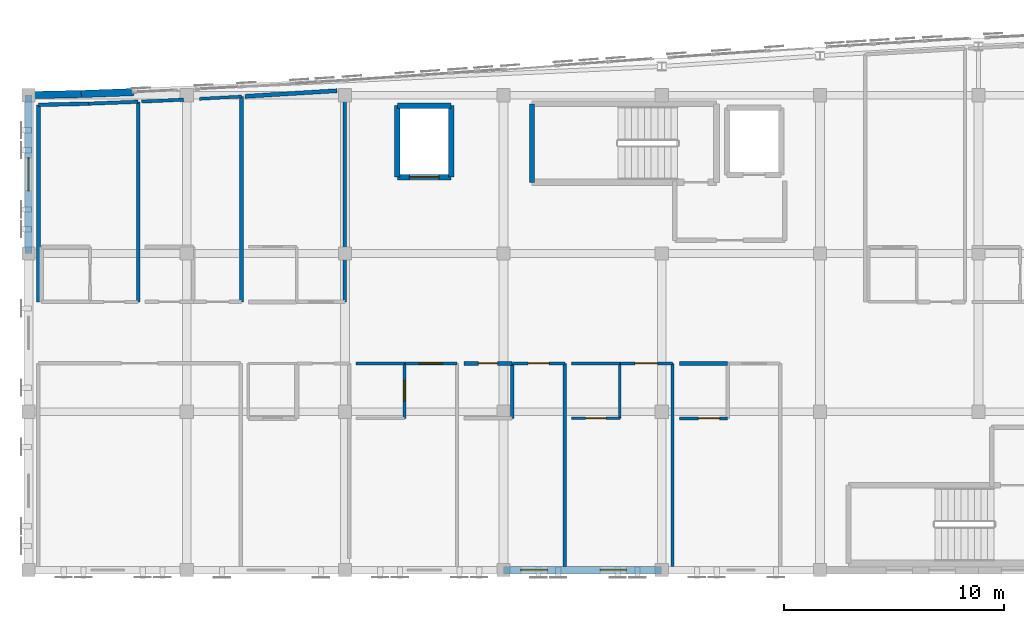
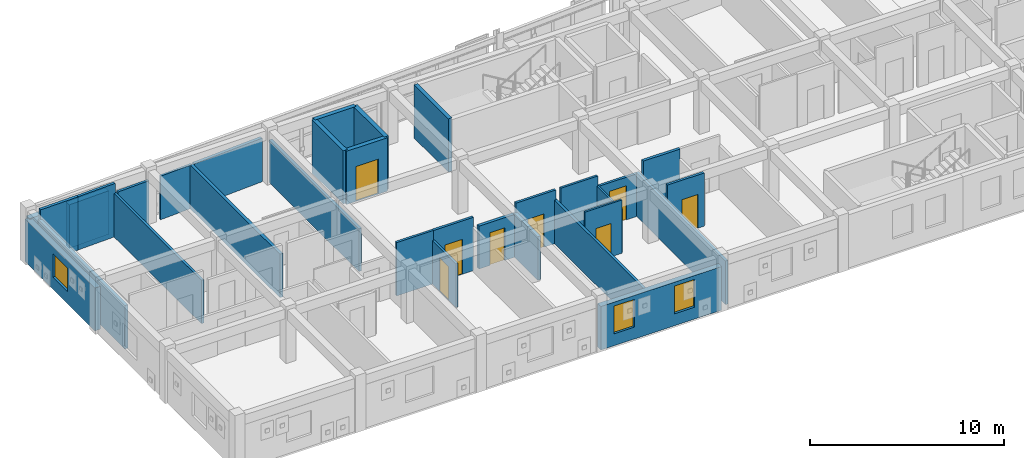
# One storey, part 34 of 45: 32 walls, 8 doors, 3 windows, 11 openings.
"""IFC4 building model written with IfcOpenShell, lengths in metres."""

from ifc_helpers import new_model, si_unit, direction, frame, frame_2d, origin, place, context, subcontext, project, spatial, rectangle, extrude, material, layer, layer_set, type_object, element, fill, save


model = new_model("IFC4")

# Units and contexts
model_context = context("Model", 3, precision=1e-05, world=origin(), true_north=direction((0.0, 1.0)))
body_context = subcontext(model_context, "Body", "Model", "MODEL_VIEW")
ifc_project = project(units=[si_unit("LENGTHUNIT", "METRE"), si_unit("AREAUNIT", "SQUARE_METRE"), si_unit("VOLUMEUNIT", "CUBIC_METRE"), si_unit("PLANEANGLEUNIT", "RADIAN"), si_unit("MASSUNIT", "GRAM", prefix="KILO")], contexts=[model_context])

# Site, building, storey
site_placement = place(None, origin())
site = spatial("IfcSite", under=ifc_project, at=site_placement, CompositionType="ELEMENT")
building_placement = place(site_placement, origin())
building = spatial("IfcBuilding", under=site, at=building_placement, Name="Carrowvane Square Congress Hotel", CompositionType="ELEMENT")
storey_placement = place(building_placement, frame((0.0, 0.0, 33.60009765625)))
storey = spatial("IfcBuildingStorey", under=building, at=storey_placement, Name="L08", CompositionType="ELEMENT", Elevation=33.60009765625)

# Walls
ifc_material_1 = material(Name="Glazed terracotta rainscreen", Category="masonry")
ifc_layer_1 = layer(ifc_material_1, 0.330078125)
ifc_layer_set_1 = layer_set([ifc_layer_1], Name="Glazed terracotta rainscreen")
wall_type_1 = type_object("IfcWallType", Name="WL-EXT-TC330", PredefinedType="STANDARD", material=ifc_layer_set_1)
wall_1_placement = place(storey_placement, frame((33.199951171875, 113.39990234375, 0.0), z_axis=(0.0, 0.0, 1.0), x_axis=(0.999767568547, 0.021559426766, 0.0)))
element("IfcWall", 1, at=wall_1_placement, inside=storey, type_object=wall_type_1, Name="L08 exterior facade wall 535", PredefinedType="STANDARD", context=body_context, shape_type="SweptSolid", body=[
    extrude(rectangle(XDim=2.400634765625, YDim=0.330078125, at=frame_2d((1.2001953125, 0.0))), origin(), (0.0, 0.0, 1.0), 2.744873046875),
])
wall_2_placement = place(storey_placement, frame((35.60009765625, 113.45166015625, 0.0), z_axis=(0.0, 0.0, 1.0), x_axis=(0.99930757318, 0.037207179225, 0.0)))
element("IfcWall", 2, at=wall_2_placement, inside=storey, type_object=wall_type_1, Name="L08 exterior facade wall 536", PredefinedType="STANDARD", context=body_context, shape_type="SweptSolid", body=[
    extrude(rectangle(XDim=2.401611328125, YDim=0.330078125, at=frame_2d((1.20068359375, 0.0))), origin(), (0.0, 0.0, 1.0), 2.744873046875),
])

# Wall, openings, windows
wall_3_placement = place(storey_placement, frame((62.0, 91.800048828125, 0.0), z_axis=(0.0, 0.0, 1.0), x_axis=(-1.0, 0.0, 0.0)))
wall_3 = element("IfcWall", 3, at=wall_3_placement, inside=storey, type_object=wall_type_1, Name="L08 exterior facade wall 553", PredefinedType="STANDARD", context=body_context, shape_type="SweptSolid", body=[
    extrude(rectangle(XDim=7.199951171875, YDim=0.330078125, at=frame_2d((3.60009765625, 0.0))), origin(), (0.0, 0.0, 1.0), 2.744873046875),
])
opening_1_placement = place(wall_3_placement, frame((1.60498046875, 0.0, 0.75)))
opening_1 = element("IfcOpeningElement", 4, at=opening_1_placement, cuts=wall_3, Name="Opening W-01", PredefinedType="OPENING", context=body_context, shape_type="SweptSolid", body=[
    extrude(rectangle(XDim=1.199951171875, YDim=1.75, at=frame_2d((0.60009765625, 0.875))), frame((0.0, 0.175048828125, 0.0), z_axis=(0.0, -1.0, 0.0), x_axis=(1.0, 0.0, 0.0)), (0.0, 0.0, 1.0), 0.35009765625),
])
opening_2_placement = place(wall_3_placement, frame((5.205078125, 0.0, 0.75)))
opening_2 = element("IfcOpeningElement", 5, at=opening_2_placement, cuts=wall_3, Name="Opening W-01", PredefinedType="OPENING", context=body_context, shape_type="SweptSolid", body=[
    extrude(rectangle(XDim=1.199951171875, YDim=1.75, at=frame_2d((0.60009765625, 0.875))), frame((0.0, 0.175048828125, 0.0), z_axis=(0.0, -1.0, 0.0), x_axis=(1.0, 0.0, 0.0)), (0.0, 0.0, 1.0), 0.35009765625),
])
ifc_material_2 = material(Name="Double-glazed low-E glass", Category="glass")
window_type_1 = type_object("IfcWindowType", Name="WIN-01", PartitioningType="SINGLE_PANEL", PredefinedType="WINDOW", material=ifc_material_2)
window_1_placement = place(opening_1_placement, origin())
window_1 = element("IfcWindow", 6, at=window_1_placement, inside=storey, type_object=window_type_1, Name="L08 facade window 401", OverallHeight=1.75, OverallWidth=1.199951171875, PartitioningType="SINGLE_PANEL", PredefinedType="WINDOW", context=body_context, shape_type="SweptSolid", body=[
    extrude(rectangle(XDim=1.199951171875, YDim=1.75, at=frame_2d((0.60009765625, 0.875))), frame((0.0, 0.030029296875, 0.0), z_axis=(0.0, -1.0, 0.0), x_axis=(1.0, 0.0, 0.0)), (0.0, 0.0, 1.0), 0.06005859375),
])
fill(opening_1, window_1)
window_2_placement = place(opening_2_placement, origin())
window_2 = element("IfcWindow", 7, at=window_2_placement, inside=storey, type_object=window_type_1, Name="L08 split-bay facade window WIN-L08-0401-1", OverallHeight=1.75, OverallWidth=1.199951171875, PartitioningType="SINGLE_PANEL", PredefinedType="WINDOW", context=body_context, shape_type="SweptSolid", body=[
    extrude(rectangle(XDim=1.199951171875, YDim=1.75, at=frame_2d((0.60009765625, 0.875))), frame((0.0, 0.030029296875, 0.0), z_axis=(0.0, -1.0, 0.0), x_axis=(1.0, 0.0, 0.0)), (0.0, 0.0, 1.0), 0.06005859375),
])
fill(opening_2, window_2)

# Wall, opening, window
wall_4_placement = place(storey_placement, frame((33.199951171875, 106.199951171875, 0.0), z_axis=(0.0, 0.0, 1.0), x_axis=(0.0, 1.0, 0.0)))
wall_4 = element("IfcWall", 8, at=wall_4_placement, inside=storey, type_object=wall_type_1, Name="L08 exterior facade wall 559", PredefinedType="STANDARD", context=body_context, shape_type="SweptSolid", body=[
    extrude(rectangle(XDim=7.199951171875, YDim=0.330078125, at=frame_2d((3.60009765625, 0.0))), origin(), (0.0, 0.0, 1.0), 2.69482421875),
])
opening_3_placement = place(wall_4_placement, frame((2.85009765625, 0.0, 0.75)))
opening_3 = element("IfcOpeningElement", 9, at=opening_3_placement, cuts=wall_4, Name="Opening W-15", PredefinedType="OPENING", context=body_context, shape_type="SweptSolid", body=[
    extrude(rectangle(XDim=1.5, YDim=1.5, at=frame_2d((0.75, 0.75))), frame((0.0, 0.175048828125, 0.0), z_axis=(0.0, -1.0, 0.0), x_axis=(1.0, 0.0, 0.0)), (0.0, 0.0, 1.0), 0.35009765625),
])
ifc_material_3 = material(Name="Double-glazed low-E glass", Category="glass")
window_type_2 = type_object("IfcWindowType", Name="WIN-15", PartitioningType="SINGLE_PANEL", PredefinedType="WINDOW", material=ifc_material_3)
window_3_placement = place(opening_3_placement, origin())
window_3 = element("IfcWindow", 10, at=window_3_placement, inside=storey, type_object=window_type_2, Name="L08 facade window 407", OverallHeight=1.5, OverallWidth=1.5, PartitioningType="SINGLE_PANEL", PredefinedType="WINDOW", context=body_context, shape_type="SweptSolid", body=[
    extrude(rectangle(XDim=1.5, YDim=1.5, at=frame_2d((0.75, 0.75))), frame((0.0, 0.030029296875, 0.0), z_axis=(0.0, -1.0, 0.0), x_axis=(1.0, 0.0, 0.0)), (0.0, 0.0, 1.0), 0.06005859375),
])
fill(opening_3, window_3)

# Walls
ifc_material_4 = material(Name="Acoustic gypsum board", Category="gypsum")
ifc_layer_2 = layer(ifc_material_4, 0.155029296875)
ifc_layer_set_2 = layer_set([ifc_layer_2], Name="Acoustic gypsum board")
wall_type_2 = type_object("IfcWallType", Name="WL-FIR-155", PredefinedType="PARTITIONING", material=ifc_layer_set_2)
for number, where, z_axis, x_axis, name in (
    (11, (57.590087890625, 101.199951171875, 0.0), (0.0, 0.0, 1.0), (0.0, -1.0, 0.0), "L08 Hotel Guest Bedroom 0803 partition"),
    (12, (62.489990234375, 101.199951171875, 0.0), (0.0, 0.0, 1.0), (0.0, -1.0, 0.0), "L08 Hotel Guest Bedroom 0804 partition"),
):
    element("IfcWall", number, at=place(storey_placement, frame(where, z_axis=z_axis, x_axis=x_axis)), inside=storey, type_object=wall_type_2, Name=name, PredefinedType="PARTITIONING", context=body_context, shape_type="SweptSolid", body=[
        extrude(rectangle(XDim=9.239990234375, YDim=0.155029296875, at=frame_2d((4.6201171875, 0.0))), origin(), (0.0, 0.0, 1.0), 2.744873046875),
    ])
wall_5_placement = place(storey_placement, frame((35.919921875, 113.013671875, 0.0), z_axis=(0.0, 0.0, 1.0), x_axis=(0.999280101676, 0.037937822746, 0.0)))
element("IfcWall", 13, at=wall_5_placement, inside=storey, type_object=wall_type_2, Name="L08 Parkview Guest Bedroom 0808 partition", PredefinedType="PARTITIONING", context=body_context, shape_type="SweptSolid", body=[
    extrude(rectangle(XDim=2.271728515625, YDim=0.155029296875, at=frame_2d((1.1357421875, 0.0))), origin(), (0.0, 0.0, 1.0), 3.35986328125),
])
ifc_material_5 = material(Name="Acoustic gypsum board", Category="gypsum")
ifc_layer_3 = layer(ifc_material_5, 0.169921875)
ifc_layer_set_3 = layer_set([ifc_layer_3], Name="Acoustic gypsum board")
wall_type_3 = type_object("IfcWallType", Name="WL-FIR-170", PredefinedType="PARTITIONING", material=ifc_layer_set_3)
wall_6_placement = place(storey_placement, frame((55.199951171875, 101.199951171875, 0.0), z_axis=(0.0, 0.0, 1.0), x_axis=(0.0, -1.0, 0.0)))
element("IfcWall", 14, at=wall_6_placement, inside=storey, type_object=wall_type_3, Name="L08 En-suite Bathroom 0803 partition", PredefinedType="PARTITIONING", context=body_context, shape_type="SweptSolid", body=[
    extrude(rectangle(XDim=2.5, YDim=0.169921875, at=frame_2d((1.25, 0.0))), origin(), (0.0, 0.0, 1.0), 2.744873046875),
])
wall_7_placement = place(storey_placement, frame((62.800048828125, 101.199951171875, 0.0), z_axis=(0.0, 0.0, 1.0), x_axis=(1.0, 0.0, 0.0)))
element("IfcWall", 15, at=wall_7_placement, inside=storey, type_object=wall_type_3, Name="L08 En-suite Bathroom 0805 partition", PredefinedType="PARTITIONING", context=body_context, shape_type="SweptSolid", body=[
    extrude(rectangle(XDim=2.199951171875, YDim=0.169921875, at=frame_2d((1.10009765625, 0.0))), origin(), (0.0, 0.0, 1.0), 3.35986328125),
])
wall_8_placement = place(storey_placement, frame((33.64990234375, 112.959716796875, 0.0), z_axis=(0.0, 0.0, 1.0), x_axis=(0.999717647588, 0.023761841269, 0.0)))
element("IfcWall", 16, at=wall_8_placement, inside=storey, type_object=wall_type_3, Name="L08 Parkview Guest Bedroom 0808 partition", PredefinedType="PARTITIONING", context=body_context, shape_type="SweptSolid", body=[
    extrude(rectangle(XDim=2.270751953125, YDim=0.169921875, at=frame_2d((1.13525390625, 0.0))), origin(), (0.0, 0.0, 1.0), 3.35986328125),
])
wall_9_placement = place(storey_placement, frame((47.590087890625, 113.2646484375, 0.0), z_axis=(0.0, 0.0, 1.0), x_axis=(0.0, -1.0, 0.0)))
element("IfcWall", 17, at=wall_9_placement, inside=storey, type_object=wall_type_3, Name="L08 Parkview Guest Bedroom 0810 partition", PredefinedType="PARTITIONING", context=body_context, shape_type="SweptSolid", body=[
    extrude(rectangle(XDim=9.2646484375, YDim=0.169921875, at=frame_2d((4.63232421875, 0.0))), origin(), (0.0, 0.0, 1.0), 2.69482421875),
])

# Wall, opening, door
ifc_material_6 = material(Name="Acoustic gypsum board", Category="gypsum")
ifc_layer_4 = layer(ifc_material_6, 0.18505859375)
ifc_layer_set_4 = layer_set([ifc_layer_4], Name="Acoustic gypsum board")
wall_type_4 = type_object("IfcWallType", Name="WL-FIR-185", PredefinedType="PARTITIONING", material=ifc_layer_set_4)
wall_10_placement = place(storey_placement, frame((53.0, 101.199951171875, 0.0), z_axis=(0.0, 0.0, 1.0), x_axis=(1.0, 0.0, 0.0)))
wall_10 = element("IfcWall", 18, at=wall_10_placement, inside=storey, type_object=wall_type_4, Name="L08 En-suite Bathroom 0803 partition", PredefinedType="PARTITIONING", context=body_context, shape_type="SweptSolid", body=[
    extrude(rectangle(XDim=2.199951171875, YDim=0.18505859375, at=frame_2d((1.10009765625, 0.0))), origin(), (0.0, 0.0, 1.0), 2.69482421875),
])
opening_4_placement = place(wall_10_placement, frame((0.659912109375, 0.0, 0.0)))
opening_4 = element("IfcOpeningElement", 19, at=opening_4_placement, cuts=wall_10, Name="Opening ID-01", PredefinedType="OPENING", context=body_context, shape_type="SweptSolid", body=[
    extrude(rectangle(XDim=0.8798828125, YDim=2.06005859375, at=frame_2d((0.43994140625, 1.030029296875))), frame((0.0, 0.1025390625, 0.0), z_axis=(0.0, -1.0, 0.0), x_axis=(1.0, 0.0, 0.0)), (0.0, 0.0, 1.0), 0.205078125),
])
ifc_material_7 = material(Name="European oak timber", Category="wood")
door_type_1 = type_object("IfcDoorType", Name="DR-INT-0880x2060", OperationType="NOTDEFINED", PredefinedType="DOOR", material=ifc_material_7)
door_1_placement = place(opening_4_placement, origin())
door_1 = element("IfcDoor", 20, at=door_1_placement, inside=storey, type_object=door_type_1, Name="L08 En-suite Bathroom 0803 door", OperationType="SINGLE_SWING_LEFT", OverallHeight=2.06005859375, OverallWidth=0.8798828125, PredefinedType="DOOR", context=body_context, shape_type="SweptSolid", body=[
    extrude(rectangle(XDim=0.8798828125, YDim=2.06005859375, at=frame_2d((0.43994140625, 1.030029296875))), frame((0.0, 0.02490234375, 0.0), z_axis=(0.0, -1.0, 0.0), x_axis=(1.0, 0.0, 0.0)), (0.0, 0.0, 1.0), 0.050048828125),
])
fill(opening_4, door_1)

# Walls
wall_11_placement = place(storey_placement, frame((33.64990234375, 104.0, 0.0), z_axis=(0.0, 0.0, 1.0), x_axis=(0.0, 1.0, 0.0)))
element("IfcWall", 21, at=wall_11_placement, inside=storey, type_object=wall_type_4, Name="L08 Parkview Guest Bedroom 0808 partition", PredefinedType="PARTITIONING", context=body_context, shape_type="SweptSolid", body=[
    extrude(rectangle(XDim=8.959716796875, YDim=0.18505859375, at=frame_2d((4.47998046875, 0.0))), origin(), (0.0, 0.0, 1.0), 2.744873046875),
])
wall_12_placement = place(storey_placement, frame((42.889892578125, 113.336669921875, 0.0), z_axis=(0.0, 0.0, 1.0), x_axis=(0.0, -1.0, 0.0)))
element("IfcWall", 22, at=wall_12_placement, inside=storey, type_object=wall_type_4, Name="L08 Parkview Guest Bedroom 0809 partition", PredefinedType="PARTITIONING", context=body_context, shape_type="SweptSolid", body=[
    extrude(rectangle(XDim=9.336669921875, YDim=0.18505859375, at=frame_2d((4.66845703125, 0.0))), origin(), (0.0, 0.0, 1.0), 2.744873046875),
])
wall_13_placement = place(storey_placement, frame((43.050048828125, 113.34619140625, 0.0), z_axis=(0.0, 0.0, 1.0), x_axis=(0.998125369777, 0.061202501651, 0.0)))
element("IfcWall", 23, at=wall_13_placement, inside=storey, type_object=wall_type_4, Name="L08 Parkview Guest Bedroom 0810 partition", PredefinedType="PARTITIONING", context=body_context, shape_type="SweptSolid", body=[
    extrude(rectangle(XDim=4.1884765625, YDim=0.18505859375, at=frame_2d((2.09423828125, 0.0))), origin(), (0.0, 0.0, 1.0), 2.744873046875),
])

# Wall, opening, door
ifc_material_8 = material(Name="Acoustic gypsum board", Category="gypsum")
ifc_layer_5 = layer(ifc_material_8, 0.10791015625)
ifc_layer_set_5 = layer_set([ifc_layer_5], Name="Acoustic gypsum board")
wall_type_5 = type_object("IfcWallType", Name="WL-PRT-108", PredefinedType="PARTITIONING", material=ifc_layer_set_5)
wall_14_placement = place(storey_placement, frame((60.10009765625, 98.699951171875, 0.0), z_axis=(0.0, 0.0, 1.0), x_axis=(-1.0, 0.0, 0.0)))
wall_14 = element("IfcWall", 24, at=wall_14_placement, inside=storey, type_object=wall_type_5, Name="L08 En-suite Bathroom 0804 partition", PredefinedType="PARTITIONING", context=body_context, shape_type="SweptSolid", body=[
    extrude(rectangle(XDim=2.2001953125, YDim=0.10791015625, at=frame_2d((1.10009765625, 0.0))), origin(), (0.0, 0.0, 1.0), 3.35986328125),
])
opening_5_placement = place(wall_14_placement, frame((0.639892578125, 0.0, 0.0)))
opening_5 = element("IfcOpeningElement", 25, at=opening_5_placement, cuts=wall_14, Name="Opening ID-03", PredefinedType="OPENING", context=body_context, shape_type="SweptSolid", body=[
    extrude(rectangle(XDim=0.919921875, YDim=2.10009765625, at=frame_2d((0.4599609375, 1.050048828125))), frame((0.0, 0.06396484375, 0.0), z_axis=(0.0, -1.0, 0.0), x_axis=(1.0, 0.0, 0.0)), (0.0, 0.0, 1.0), 0.1279296875),
])
ifc_material_9 = material(Name="European oak timber", Category="wood")
door_type_2 = type_object("IfcDoorType", Name="DR-INT-0920x2100", OperationType="NOTDEFINED", PredefinedType="DOOR", material=ifc_material_9)
door_2_placement = place(opening_5_placement, origin())
door_2 = element("IfcDoor", 26, at=door_2_placement, inside=storey, type_object=door_type_2, Name="L08 En-suite Bathroom 0804 door", OperationType="SINGLE_SWING_LEFT", OverallHeight=2.10009765625, OverallWidth=0.919921875, PredefinedType="DOOR", context=body_context, shape_type="SweptSolid", body=[
    extrude(rectangle(XDim=0.919921875, YDim=2.10009765625, at=frame_2d((0.4599609375, 1.050048828125))), frame((0.0, 0.02490234375, 0.0), z_axis=(0.0, -1.0, 0.0), x_axis=(1.0, 0.0, 0.0)), (0.0, 0.0, 1.0), 0.050048828125),
])
fill(opening_5, door_2)

# Wall
ifc_material_10 = material(Name="Acoustic gypsum board", Category="gypsum")
ifc_layer_6 = layer(ifc_material_10, 0.117919921875)
ifc_layer_set_6 = layer_set([ifc_layer_6], Name="Acoustic gypsum board")
wall_type_6 = type_object("IfcWallType", Name="WL-PRT-118", PredefinedType="PARTITIONING", material=ifc_layer_set_6)
wall_15_placement = place(storey_placement, frame((60.10009765625, 101.199951171875, 0.0), z_axis=(0.0, 0.0, 1.0), x_axis=(0.0, -1.0, 0.0)))
element("IfcWall", 27, at=wall_15_placement, inside=storey, type_object=wall_type_6, Name="L08 En-suite Bathroom 0804 partition", PredefinedType="PARTITIONING", context=body_context, shape_type="SweptSolid", body=[
    extrude(rectangle(XDim=2.5, YDim=0.117919921875, at=frame_2d((1.25, 0.0))), origin(), (0.0, 0.0, 1.0), 2.744873046875),
])

# Wall, opening, door
ifc_material_11 = material(Name="Acoustic gypsum board", Category="gypsum")
ifc_layer_7 = layer(ifc_material_11, 0.1279296875)
ifc_layer_set_7 = layer_set([ifc_layer_7], Name="Acoustic gypsum board")
wall_type_7 = type_object("IfcWallType", Name="WL-PRT-128", PredefinedType="PARTITIONING", material=ifc_layer_set_7)
wall_16_placement = place(storey_placement, frame((50.300048828125, 101.199951171875, 0.0), z_axis=(0.0, 0.0, 1.0), x_axis=(0.0, -1.0, 0.0)))
wall_16 = element("IfcWall", 28, at=wall_16_placement, inside=storey, type_object=wall_type_7, Name="L08 En-suite Bathroom 0802 partition", PredefinedType="PARTITIONING", context=body_context, shape_type="SweptSolid", body=[
    extrude(rectangle(XDim=2.5, YDim=0.1279296875, at=frame_2d((1.25, 0.0))), origin(), (0.0, 0.0, 1.0), 2.744873046875),
])
opening_6_placement = place(wall_16_placement, frame((0.794921875, 0.0, 0.0)))
opening_6 = element("IfcOpeningElement", 29, at=opening_6_placement, cuts=wall_16, Name="Opening ID-17", PredefinedType="OPENING", context=body_context, shape_type="SweptSolid", body=[
    extrude(rectangle(XDim=0.909912109375, YDim=2.110107421875, at=frame_2d((0.455078125, 1.05517578125))), frame((0.0, 0.073974609375, 0.0), z_axis=(0.0, -1.0, 0.0), x_axis=(1.0, 0.0, 0.0)), (0.0, 0.0, 1.0), 0.14794921875),
])
ifc_material_12 = material(Name="European oak timber", Category="wood")
door_type_3 = type_object("IfcDoorType", Name="DR-INT-0910x2110", OperationType="NOTDEFINED", PredefinedType="DOOR", material=ifc_material_12)
door_3_placement = place(opening_6_placement, origin())
door_3 = element("IfcDoor", 30, at=door_3_placement, inside=storey, type_object=door_type_3, Name="L08 En-suite Bathroom 0802 door", OperationType="SINGLE_SWING_LEFT", OverallHeight=2.110107421875, OverallWidth=0.909912109375, PredefinedType="DOOR", context=body_context, shape_type="SweptSolid", body=[
    extrude(rectangle(XDim=0.909912109375, YDim=2.110107421875, at=frame_2d((0.455078125, 1.05517578125))), frame((0.0, 0.02490234375, 0.0), z_axis=(0.0, -1.0, 0.0), x_axis=(1.0, 0.0, 0.0)), (0.0, 0.0, 1.0), 0.050048828125),
])
fill(opening_6, door_3)

# Walls
wall_17_placement = place(storey_placement, frame((57.89990234375, 101.199951171875, 0.0), z_axis=(0.0, 0.0, 1.0), x_axis=(1.0, 0.0, 0.0)))
element("IfcWall", 31, at=wall_17_placement, inside=storey, type_object=wall_type_7, Name="L08 En-suite Bathroom 0804 partition", PredefinedType="PARTITIONING", context=body_context, shape_type="SweptSolid", body=[
    extrude(rectangle(XDim=2.2001953125, YDim=0.1279296875, at=frame_2d((1.10009765625, 0.0))), origin(), (0.0, 0.0, 1.0), 3.35986328125),
])
ifc_material_13 = material(Name="Acoustic gypsum board", Category="gypsum")
ifc_layer_8 = layer(ifc_material_13, 0.137939453125)
ifc_layer_set_8 = layer_set([ifc_layer_8], Name="Acoustic gypsum board")
wall_type_8 = type_object("IfcWallType", Name="WL-PRT-138", PredefinedType="PARTITIONING", material=ifc_layer_set_8)
wall_18_placement = place(storey_placement, frame((48.10009765625, 101.199951171875, 0.0), z_axis=(0.0, 0.0, 1.0), x_axis=(1.0, 0.0, 0.0)))
element("IfcWall", 32, at=wall_18_placement, inside=storey, type_object=wall_type_8, Name="L08 En-suite Bathroom 0802 partition", PredefinedType="PARTITIONING", context=body_context, shape_type="SweptSolid", body=[
    extrude(rectangle(XDim=2.199951171875, YDim=0.137939453125, at=frame_2d((1.10009765625, 0.0))), origin(), (0.0, 0.0, 1.0), 3.35986328125),
])
wall_19_placement = place(storey_placement, frame((40.9794921875, 113.23388671875, 0.0), z_axis=(0.0, 0.0, 1.0), x_axis=(0.998555811423, 0.053724216819, 0.0)))
element("IfcWall", 33, at=wall_19_placement, inside=storey, type_object=wall_type_8, Name="L08 Parkview Guest Bedroom 0809 partition", PredefinedType="PARTITIONING", context=body_context, shape_type="SweptSolid", body=[
    extrude(rectangle(XDim=1.9130859375, YDim=0.137939453125, at=frame_2d((0.95654296875, 0.0))), origin(), (0.0, 0.0, 1.0), 2.744873046875),
])

# Wall, opening, door
ifc_material_14 = material(Name="Acoustic gypsum board", Category="gypsum")
ifc_layer_9 = layer(ifc_material_14, 0.14794921875)
ifc_layer_set_9 = layer_set([ifc_layer_9], Name="Acoustic gypsum board")
wall_type_9 = type_object("IfcWallType", Name="WL-PRT-148", PredefinedType="PARTITIONING", material=ifc_layer_set_9)
wall_20_placement = place(storey_placement, frame((50.31005859375, 101.199951171875, 0.0), z_axis=(0.0, 0.0, 1.0), x_axis=(1.0, 0.0, 0.0)))
wall_20 = element("IfcWall", 34, at=wall_20_placement, inside=storey, type_object=wall_type_9, Name="L08 Hotel Guest Bedroom 0802 partition", PredefinedType="PARTITIONING", context=body_context, shape_type="SweptSolid", body=[
    extrude(rectangle(XDim=2.3798828125, YDim=0.14794921875, at=frame_2d((1.18994140625, 0.0))), origin(), (0.0, 0.0, 1.0), 3.35986328125),
])
opening_7_placement = place(wall_20_placement, frame((0.659912109375, 0.0, 0.0)))
opening_7 = element("IfcOpeningElement", 35, at=opening_7_placement, cuts=wall_20, Name="Opening FD-09", PredefinedType="OPENING", context=body_context, shape_type="SweptSolid", body=[
    extrude(rectangle(XDim=1.06005859375, YDim=2.199951171875, at=frame_2d((0.530029296875, 1.10009765625))), frame((0.0, 0.083984375, 0.0), z_axis=(0.0, -1.0, 0.0), x_axis=(1.0, 0.0, 0.0)), (0.0, 0.0, 1.0), 0.16796875),
])
ifc_material_15 = material(Name="European oak timber", Category="wood")
door_type_4 = type_object("IfcDoorType", Name="DR-FD30-1060x2200", OperationType="NOTDEFINED", PredefinedType="DOOR", material=ifc_material_15)
door_4_placement = place(opening_7_placement, origin())
door_4 = element("IfcDoor", 36, at=door_4_placement, inside=storey, type_object=door_type_4, Name="L08 Hotel Guest Bedroom 0802 entrance door", OperationType="SINGLE_SWING_RIGHT", OverallHeight=2.199951171875, OverallWidth=1.06005859375, PredefinedType="DOOR", context=body_context, shape_type="SweptSolid", body=[
    extrude(rectangle(XDim=1.06005859375, YDim=2.199951171875, at=frame_2d((0.530029296875, 1.10009765625))), frame((0.0, 0.02490234375, 0.0), z_axis=(0.0, -1.0, 0.0), x_axis=(1.0, 0.0, 0.0)), (0.0, 0.0, 1.0), 0.050048828125),
])
fill(opening_7, door_4)

wall_21_placement = place(storey_placement, frame((55.2099609375, 101.199951171875, 0.0), z_axis=(0.0, 0.0, 1.0), x_axis=(1.0, 0.0, 0.0)))
wall_21 = element("IfcWall", 37, at=wall_21_placement, inside=storey, type_object=wall_type_9, Name="L08 Hotel Guest Bedroom 0803 partition", PredefinedType="PARTITIONING", context=body_context, shape_type="SweptSolid", body=[
    extrude(rectangle(XDim=2.380126953125, YDim=0.14794921875, at=frame_2d((1.18994140625, 0.0))), origin(), (0.0, 0.0, 1.0), 3.35986328125),
])
opening_8_placement = place(wall_21_placement, frame((0.715087890625, 0.0, 0.0)))
opening_8 = element("IfcOpeningElement", 38, at=opening_8_placement, cuts=wall_21, Name="Opening FD-06", PredefinedType="OPENING", context=body_context, shape_type="SweptSolid", body=[
    extrude(rectangle(XDim=0.949951171875, YDim=2.10009765625, at=frame_2d((0.47509765625, 1.050048828125))), frame((0.0, 0.083984375, 0.0), z_axis=(0.0, -1.0, 0.0), x_axis=(1.0, 0.0, 0.0)), (0.0, 0.0, 1.0), 0.16796875),
])
ifc_material_16 = material(Name="European oak timber", Category="wood")
door_type_5 = type_object("IfcDoorType", Name="DR-FD30-0950x2100", OperationType="NOTDEFINED", PredefinedType="DOOR", material=ifc_material_16)
door_5_placement = place(opening_8_placement, origin())
door_5 = element("IfcDoor", 39, at=door_5_placement, inside=storey, type_object=door_type_5, Name="L08 Hotel Guest Bedroom 0803 entrance door", OperationType="SINGLE_SWING_RIGHT", OverallHeight=2.10009765625, OverallWidth=0.949951171875, PredefinedType="DOOR", context=body_context, shape_type="SweptSolid", body=[
    extrude(rectangle(XDim=0.949951171875, YDim=2.10009765625, at=frame_2d((0.47509765625, 1.050048828125))), frame((0.0, 0.02490234375, 0.0), z_axis=(0.0, -1.0, 0.0), x_axis=(1.0, 0.0, 0.0)), (0.0, 0.0, 1.0), 0.050048828125),
])
fill(opening_8, door_5)

wall_22_placement = place(storey_placement, frame((60.110107421875, 101.199951171875, 0.0), z_axis=(0.0, 0.0, 1.0), x_axis=(1.0, 0.0, 0.0)))
wall_22 = element("IfcWall", 40, at=wall_22_placement, inside=storey, type_object=wall_type_9, Name="L08 Hotel Guest Bedroom 0804 partition", PredefinedType="PARTITIONING", context=body_context, shape_type="SweptSolid", body=[
    extrude(rectangle(XDim=2.3798828125, YDim=0.14794921875, at=frame_2d((1.18994140625, 0.0))), origin(), (0.0, 0.0, 1.0), 2.69482421875),
])
opening_9_placement = place(wall_22_placement, frame((0.679931640625, 0.0, 0.0)))
opening_9 = element("IfcOpeningElement", 41, at=opening_9_placement, cuts=wall_22, Name="Opening FD-08", PredefinedType="OPENING", context=body_context, shape_type="SweptSolid", body=[
    extrude(rectangle(XDim=1.02001953125, YDim=2.14990234375, at=frame_2d((0.510009765625, 1.074951171875))), frame((0.0, 0.083984375, 0.0), z_axis=(0.0, -1.0, 0.0), x_axis=(1.0, 0.0, 0.0)), (0.0, 0.0, 1.0), 0.16796875),
])
ifc_material_17 = material(Name="European oak timber", Category="wood")
door_type_6 = type_object("IfcDoorType", Name="DR-FD30-1020x2150", OperationType="NOTDEFINED", PredefinedType="DOOR", material=ifc_material_17)
door_6_placement = place(opening_9_placement, origin())
door_6 = element("IfcDoor", 42, at=door_6_placement, inside=storey, type_object=door_type_6, Name="L08 Hotel Guest Bedroom 0804 entrance door", OperationType="SINGLE_SWING_RIGHT", OverallHeight=2.14990234375, OverallWidth=1.02001953125, PredefinedType="DOOR", context=body_context, shape_type="SweptSolid", body=[
    extrude(rectangle(XDim=1.02001953125, YDim=2.14990234375, at=frame_2d((0.510009765625, 1.074951171875))), frame((0.0, 0.02490234375, 0.0), z_axis=(0.0, -1.0, 0.0), x_axis=(1.0, 0.0, 0.0)), (0.0, 0.0, 1.0), 0.050048828125),
])
fill(opening_9, door_6)

wall_23_placement = place(storey_placement, frame((65.0, 98.699951171875, 0.0), z_axis=(0.0, 0.0, 1.0), x_axis=(-1.0, 0.0, 0.0)))
wall_23 = element("IfcWall", 43, at=wall_23_placement, inside=storey, type_object=wall_type_9, Name="L08 En-suite Bathroom 0805 partition", PredefinedType="PARTITIONING", context=body_context, shape_type="SweptSolid", body=[
    extrude(rectangle(XDim=2.199951171875, YDim=0.14794921875, at=frame_2d((1.10009765625, 0.0))), origin(), (0.0, 0.0, 1.0), 3.35986328125),
])
opening_10_placement = place(wall_23_placement, frame((0.3701171875, 0.0, 0.0)))
opening_10 = element("IfcOpeningElement", 44, at=opening_10_placement, cuts=wall_23, Name="Opening ID-05", PredefinedType="OPENING", context=body_context, shape_type="SweptSolid", body=[
    extrude(rectangle(XDim=0.9599609375, YDim=2.139892578125, at=frame_2d((0.47998046875, 1.06982421875))), frame((0.0, 0.083984375, 0.0), z_axis=(0.0, -1.0, 0.0), x_axis=(1.0, 0.0, 0.0)), (0.0, 0.0, 1.0), 0.16796875),
])
ifc_material_18 = material(Name="European oak timber", Category="wood")
door_type_7 = type_object("IfcDoorType", Name="DR-INT-0960x2140", OperationType="NOTDEFINED", PredefinedType="DOOR", material=ifc_material_18)
door_7_placement = place(opening_10_placement, origin())
door_7 = element("IfcDoor", 45, at=door_7_placement, inside=storey, type_object=door_type_7, Name="L08 En-suite Bathroom 0805 door", OperationType="SINGLE_SWING_LEFT", OverallHeight=2.139892578125, OverallWidth=0.9599609375, PredefinedType="DOOR", context=body_context, shape_type="SweptSolid", body=[
    extrude(rectangle(XDim=0.9599609375, YDim=2.139892578125, at=frame_2d((0.47998046875, 1.06982421875))), frame((0.0, 0.02490234375, 0.0), z_axis=(0.0, -1.0, 0.0), x_axis=(1.0, 0.0, 0.0)), (0.0, 0.0, 1.0), 0.050048828125),
])
fill(opening_10, door_7)

# Walls
wall_24_placement = place(storey_placement, frame((38.18994140625, 113.099853515625, 0.0), z_axis=(0.0, 0.0, 1.0), x_axis=(0.0, -1.0, 0.0)))
element("IfcWall", 46, at=wall_24_placement, inside=storey, type_object=wall_type_9, Name="L08 Parkview Guest Bedroom 0808 partition", PredefinedType="PARTITIONING", context=body_context, shape_type="SweptSolid", body=[
    extrude(rectangle(XDim=9.099853515625, YDim=0.14794921875, at=frame_2d((4.5498046875, 0.0))), origin(), (0.0, 0.0, 1.0), 2.744873046875),
])
wall_25_placement = place(storey_placement, frame((38.35009765625, 113.107177734375, 0.0), z_axis=(0.0, 0.0, 1.0), x_axis=(0.998883966437, 0.047231574132, 0.0)))
element("IfcWall", 47, at=wall_25_placement, inside=storey, type_object=wall_type_9, Name="L08 Parkview Guest Bedroom 0809 partition", PredefinedType="PARTITIONING", context=body_context, shape_type="SweptSolid", body=[
    extrude(rectangle(XDim=1.91259765625, YDim=0.14794921875, at=frame_2d((0.956298828125, 0.0))), origin(), (0.0, 0.0, 1.0), 2.744873046875),
])
ifc_material_19 = material(Name="Concrete C40/50", Category="concrete")
ifc_layer_10 = layer(ifc_material_19, 0.22509765625)
ifc_layer_set_10 = layer_set([ifc_layer_10], Name="Concrete C40/50")
wall_type_10 = type_object("IfcWallType", Name="WL-SHR-225", PredefinedType="SHEAR", material=ifc_layer_set_10)
wall_26_placement = place(storey_placement, frame((56.10009765625, 113.0, 0.0), z_axis=(0.0, 0.0, 1.0), x_axis=(0.0, -1.0, 0.0)))
element("IfcWall", 48, at=wall_26_placement, inside=storey, type_object=wall_type_10, Name="L08 ST1 core wall west", PredefinedType="SHEAR", context=body_context, shape_type="SweptSolid", body=[
    extrude(rectangle(XDim=3.56005859375, YDim=0.22509765625, at=frame_2d((1.780029296875, 0.0))), origin(), (0.0, 0.0, 1.0), 3.35986328125),
])

# Wall, opening, door
ifc_material_20 = material(Name="Concrete C40/50", Category="concrete")
ifc_layer_11 = layer(ifc_material_20, 0.25)
ifc_layer_set_11 = layer_set([ifc_layer_11], Name="Concrete C40/50")
wall_type_11 = type_object("IfcWallType", Name="WL-SHR-250", PredefinedType="SHEAR", material=ifc_layer_set_11)
wall_27_placement = place(storey_placement, frame((49.97509765625, 109.675048828125, 0.0), z_axis=(0.0, 0.0, 1.0), x_axis=(1.0, 0.0, 0.0)))
wall_27 = element("IfcWall", 49, at=wall_27_placement, inside=storey, type_object=wall_type_11, Name="L08 SL-1 shaft wall south", PredefinedType="SHEAR", context=body_context, shape_type="SweptSolid", body=[
    extrude(rectangle(XDim=2.449951171875, YDim=0.25, at=frame_2d((1.22509765625, 0.0))), origin(), (0.0, 0.0, 1.0), 3.35986328125),
])
opening_11_placement = place(wall_27_placement, frame((0.550048828125, 0.0, 0.0)))
opening_11 = element("IfcOpeningElement", 50, at=opening_11_placement, cuts=wall_27, Name="Opening LD-SL-1", PredefinedType="OPENING", context=body_context, shape_type="SweptSolid", body=[
    extrude(rectangle(XDim=1.35009765625, YDim=2.199951171875, at=frame_2d((0.675048828125, 1.10009765625))), frame((0.0, 0.135009765625, 0.0), z_axis=(0.0, -1.0, 0.0), x_axis=(1.0, 0.0, 0.0)), (0.0, 0.0, 1.0), 0.27001953125),
])
ifc_material_21 = material(Name="Stainless steel 316", Category="steel")
door_type_8 = type_object("IfcDoorType", Name="DR-LD-1350x2200", OperationType="DOUBLE_DOOR_SLIDING", PredefinedType="DOOR", material=ifc_material_21)
door_8_placement = place(opening_11_placement, origin())
door_8 = element("IfcDoor", 51, at=door_8_placement, inside=storey, type_object=door_type_8, Name="L08 SL-1 sliding lift landing door", OperationType="DOUBLE_DOOR_SLIDING", OverallHeight=2.199951171875, OverallWidth=1.35009765625, PredefinedType="DOOR", context=body_context, shape_type="SweptSolid", body=[
    extrude(rectangle(XDim=1.35009765625, YDim=2.199951171875, at=frame_2d((0.675048828125, 1.10009765625))), frame((0.0, 0.02490234375, 0.0), z_axis=(0.0, -1.0, 0.0), x_axis=(1.0, 0.0, 0.0)), (0.0, 0.0, 1.0), 0.050048828125),
])
fill(opening_11, door_8)

# Walls
wall_28_placement = place(storey_placement, frame((52.425048828125, 109.675048828125, 0.0), z_axis=(0.0, 0.0, 1.0), x_axis=(0.0, 1.0, 0.0)))
element("IfcWall", 52, at=wall_28_placement, inside=storey, type_object=wall_type_11, Name="L08 SL-1 shaft wall east", PredefinedType="SHEAR", context=body_context, shape_type="SweptSolid", body=[
    extrude(rectangle(XDim=3.25, YDim=0.25, at=frame_2d((1.625, 0.0))), origin(), (0.0, 0.0, 1.0), 3.35986328125),
])
wall_29_placement = place(storey_placement, frame((52.425048828125, 112.925048828125, 0.0), z_axis=(0.0, 0.0, 1.0), x_axis=(-1.0, 0.0, 0.0)))
element("IfcWall", 53, at=wall_29_placement, inside=storey, type_object=wall_type_11, Name="L08 SL-1 shaft wall north", PredefinedType="SHEAR", context=body_context, shape_type="SweptSolid", body=[
    extrude(rectangle(XDim=2.449951171875, YDim=0.25, at=frame_2d((1.22509765625, 0.0))), origin(), (0.0, 0.0, 1.0), 3.35986328125),
])
wall_30_placement = place(storey_placement, frame((49.97509765625, 112.925048828125, 0.0), z_axis=(0.0, 0.0, 1.0), x_axis=(0.0, -1.0, 0.0)))
element("IfcWall", 54, at=wall_30_placement, inside=storey, type_object=wall_type_11, Name="L08 SL-1 shaft wall west", PredefinedType="SHEAR", context=body_context, shape_type="SweptSolid", body=[
    extrude(rectangle(XDim=3.25, YDim=0.25, at=frame_2d((1.625, 0.0))), origin(), (0.0, 0.0, 1.0), 3.35986328125),
])

save(model, "model.ifc")
